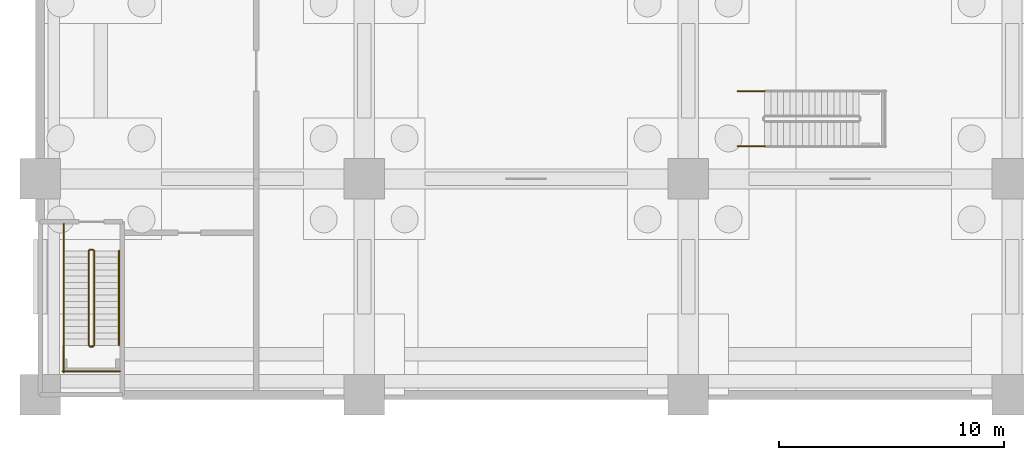
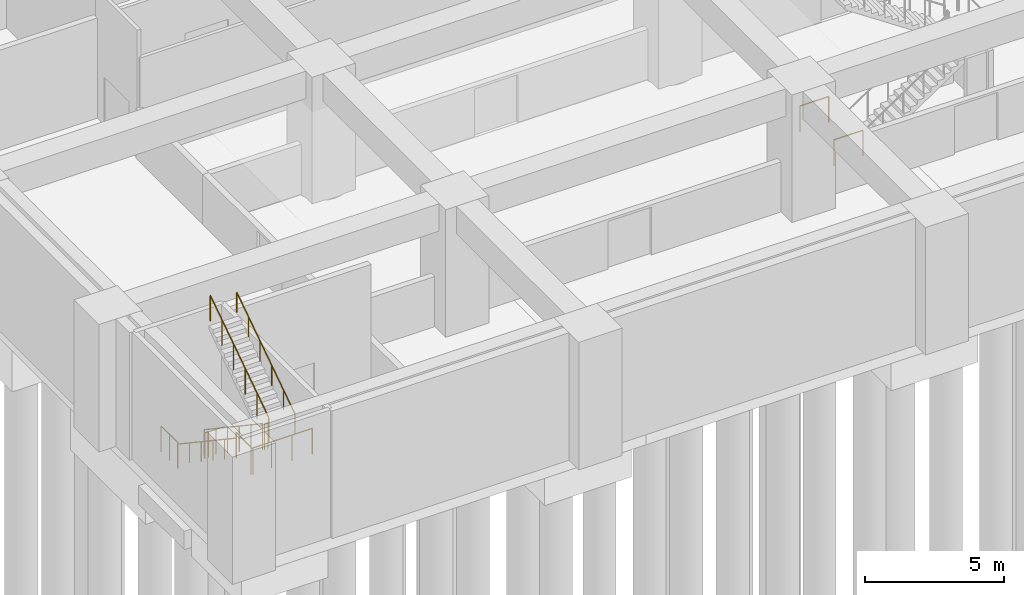
# One storey, part 9 of 13: 11 railings.
"""IFC4 building model written with IfcOpenShell, lengths in metres."""

from ifc_helpers import new_model, si_unit, direction, frame, origin, origin_2d, place, context, subcontext, project, spatial, circle, extrude, material, type_object, element, save


model = new_model("IFC4")

# Units and contexts
model_context = context("Model", 3, precision=1e-05, world=origin(), true_north=direction((0.0, 1.0)))
body_context = subcontext(model_context, "Body", "Model", "MODEL_VIEW")
ifc_project = project(units=[si_unit("LENGTHUNIT", "METRE"), si_unit("AREAUNIT", "SQUARE_METRE"), si_unit("VOLUMEUNIT", "CUBIC_METRE"), si_unit("PLANEANGLEUNIT", "RADIAN"), si_unit("MASSUNIT", "GRAM", prefix="KILO")], contexts=[model_context])

# Site, building, storey
site_placement = place(None, origin())
site = spatial("IfcSite", under=ifc_project, at=site_placement, CompositionType="ELEMENT")
building_placement = place(site_placement, origin())
building = spatial("IfcBuilding", under=site, at=building_placement, Name="Saffron Iwan Residences", CompositionType="ELEMENT")
storey_placement = place(building_placement, frame((0.0, 0.0, -11.39990234375)))
storey = spatial("IfcBuildingStorey", under=building, at=storey_placement, Name="B2", CompositionType="ELEMENT", Elevation=-11.39990234375)

# Railings
ifc_material = material(Name="Steel S355", Category="steel")
railing_type_1 = type_object("IfcRailingType", Name="Podium stair guard 1150", PredefinedType="GUARDRAIL", material=ifc_material)
railing_1_placement = place(storey_placement, frame((2.14990234375, 6.39990234375, 0.1875)))
element("IfcRailing", 1, at=railing_1_placement, inside=storey, type_object=railing_type_1, Name="B2 SE1 stair guard 1", PredefinedType="GUARDRAIL", context=body_context, shape_type="SweptSolid", body=[
    extrude(circle(Radius=0.02392578125, at=origin_2d()), frame((0.0, 0.0, 1.1259765625), z_axis=(0.0, -0.830904186295, 0.556415522067), x_axis=(1.0, 0.0, 0.0)), (0.0, 0.0, 1.0), 5.0546875),
    extrude(circle(Radius=0.02099609375, at=origin_2d()), origin(), (0.0, 0.0, 1.0), 1.101806640625),
    extrude(circle(Radius=0.02099609375, at=origin_2d()), frame((0.0, -0.840087890625, 0.5625)), (0.0, 0.0, 1.0), 1.101806640625),
    extrude(circle(Radius=0.02099609375, at=origin_2d()), frame((0.0, -1.679931640625, 1.125)), (0.0, 0.0, 1.0), 1.101806640625),
    extrude(circle(Radius=0.02099609375, at=origin_2d()), frame((0.0, -2.52001953125, 1.6875)), (0.0, 0.0, 1.0), 1.101806640625),
    extrude(circle(Radius=0.02099609375, at=origin_2d()), frame((0.0, -3.35986328125, 2.25)), (0.0, 0.0, 1.0), 1.101806640625),
    extrude(circle(Radius=0.02099609375, at=origin_2d()), frame((0.0, -4.199951171875, 2.8125)), (0.0, 0.0, 1.0), 1.101806640625),
])
railing_2_placement = place(storey_placement, frame((2.199951171875, 2.14990234375, 3.0)))
element("IfcRailing", 2, at=railing_2_placement, inside=storey, type_object=railing_type_1, Name="B2 SE1 stair guard 2", PredefinedType="GUARDRAIL", context=body_context, shape_type="SweptSolid", body=[
    extrude(circle(Radius=0.02392578125, at=origin_2d()), frame((0.0, 0.0, 1.1259765625), z_axis=(1.0, 0.0, 0.0), x_axis=(0.0, 1.0, 0.0)), (0.0, 0.0, 1.0), 0.150146484375),
    extrude(circle(Radius=0.02099609375, at=origin_2d()), origin(), (0.0, 0.0, 1.0), 1.101806640625),
    extrude(circle(Radius=0.02099609375, at=origin_2d()), frame((0.150146484375, 0.0, 0.0)), (0.0, 0.0, 1.0), 1.101806640625),
])
railing_3_placement = place(storey_placement, frame((1.050048828125, 2.199951171875, 3.0)))
element("IfcRailing", 3, at=railing_3_placement, inside=storey, type_object=railing_type_1, Name="B2 SE1 stair guard 3", PredefinedType="GUARDRAIL", context=body_context, shape_type="SweptSolid", body=[
    extrude(circle(Radius=0.02392578125, at=origin_2d()), frame((0.0, 0.0, 1.1259765625), z_axis=(0.0, -1.0, 0.0), x_axis=(1.0, 0.0, 0.0)), (0.0, 0.0, 1.0), 1.199951171875),
    extrude(circle(Radius=0.02099609375, at=origin_2d()), origin(), (0.0, 0.0, 1.0), 1.101806640625),
    extrude(circle(Radius=0.02099609375, at=origin_2d()), frame((0.0, -1.199951171875, 0.0)), (0.0, 0.0, 1.0), 1.101806640625),
])
railing_4_placement = place(storey_placement, frame((1.0, 1.050048828125, 3.0)))
element("IfcRailing", 4, at=railing_4_placement, inside=storey, type_object=railing_type_1, Name="B2 SE1 stair guard 4", PredefinedType="GUARDRAIL", context=body_context, shape_type="SweptSolid", body=[
    extrude(circle(Radius=0.02392578125, at=origin_2d()), frame((0.0, 0.0, 1.1259765625), z_axis=(1.0, 0.0, 0.0), x_axis=(0.0, 1.0, 0.0)), (0.0, 0.0, 1.0), 2.550048828125),
    extrude(circle(Radius=0.02099609375, at=origin_2d()), origin(), (0.0, 0.0, 1.0), 1.101806640625),
    extrude(circle(Radius=0.02099609375, at=origin_2d()), frame((0.85009765625, 0.0, 0.0)), (0.0, 0.0, 1.0), 1.101806640625),
    extrude(circle(Radius=0.02099609375, at=origin_2d()), frame((1.699951171875, 0.0, 0.0)), (0.0, 0.0, 1.0), 1.101806640625),
    extrude(circle(Radius=0.02099609375, at=origin_2d()), frame((2.550048828125, 0.0, 0.0)), (0.0, 0.0, 1.0), 1.101806640625),
])
railing_5_placement = place(storey_placement, frame((2.39990234375, 2.199951171875, 3.1875)))
element("IfcRailing", 5, at=railing_5_placement, inside=storey, type_object=railing_type_1, Name="B2 SE1 stair guard 5", PredefinedType="GUARDRAIL", context=body_context, shape_type="SweptSolid", body=[
    extrude(circle(Radius=0.02392578125, at=origin_2d()), frame((0.0, 0.0, 1.1259765625), z_axis=(0.0, 0.830904186295, 0.556415522067), x_axis=(-1.0, 0.0, 0.0)), (0.0, 0.0, 1.0), 5.0546875),
    extrude(circle(Radius=0.02099609375, at=origin_2d()), origin(), (0.0, 0.0, 1.0), 1.101806640625),
    extrude(circle(Radius=0.02099609375, at=origin_2d()), frame((0.0, 0.840087890625, 0.5625)), (0.0, 0.0, 1.0), 1.101806640625),
    extrude(circle(Radius=0.02099609375, at=origin_2d()), frame((0.0, 1.679931640625, 1.125)), (0.0, 0.0, 1.0), 1.101806640625),
    extrude(circle(Radius=0.02099609375, at=origin_2d()), frame((0.0, 2.52001953125, 1.6875)), (0.0, 0.0, 1.0), 1.101806640625),
    extrude(circle(Radius=0.02099609375, at=origin_2d()), frame((0.0, 3.35986328125, 2.25)), (0.0, 0.0, 1.0), 1.101806640625),
    extrude(circle(Radius=0.02099609375, at=origin_2d()), frame((0.0, 4.199951171875, 2.8125)), (0.0, 0.0, 1.0), 1.101806640625),
])
railing_6_placement = place(storey_placement, frame((2.199951171875, 6.449951171875, 0.0)))
element("IfcRailing", 6, at=railing_6_placement, inside=storey, type_object=railing_type_1, Name="B2 SE1 stair guard 6", PredefinedType="GUARDRAIL", context=body_context, shape_type="SweptSolid", body=[
    extrude(circle(Radius=0.02392578125, at=origin_2d()), frame((0.0, 0.0, 1.1259765625), z_axis=(1.0, 0.0, 0.0), x_axis=(0.0, 1.0, 0.0)), (0.0, 0.0, 1.0), 0.150146484375),
    extrude(circle(Radius=0.02099609375, at=origin_2d()), origin(), (0.0, 0.0, 1.0), 1.101806640625),
    extrude(circle(Radius=0.02099609375, at=origin_2d()), frame((0.150146484375, 0.0, 0.0)), (0.0, 0.0, 1.0), 1.101806640625),
])
railing_7_placement = place(storey_placement, frame((1.050048828125, 7.60009765625, 0.0)))
element("IfcRailing", 7, at=railing_7_placement, inside=storey, type_object=railing_type_1, Name="B2 SE1 stair guard 7", PredefinedType="GUARDRAIL", context=body_context, shape_type="SweptSolid", body=[
    extrude(circle(Radius=0.02392578125, at=origin_2d()), frame((0.0, 0.0, 1.1259765625), z_axis=(0.0, -1.0, 0.0), x_axis=(1.0, 0.0, 0.0)), (0.0, 0.0, 1.0), 1.2001953125),
    extrude(circle(Radius=0.02099609375, at=origin_2d()), origin(), (0.0, 0.0, 1.0), 1.101806640625),
    extrude(circle(Radius=0.02099609375, at=origin_2d()), frame((0.0, -0.60009765625, 0.0)), (0.0, 0.0, 1.0), 1.101806640625),
    extrude(circle(Radius=0.02099609375, at=origin_2d()), frame((0.0, -1.2001953125, 0.0)), (0.0, 0.0, 1.0), 1.101806640625),
])
for number, where, name in (
    (8, (31.0, 11.050048828125, 0.0), "B2 SP2 stair guard 8"),
    (9, (31.0, 13.5, 0.0), "B2 SP2 stair guard 9"),
):
    element("IfcRailing", number, at=place(storey_placement, frame(where)), inside=storey, type_object=railing_type_1, Name=name, PredefinedType="GUARDRAIL", context=body_context, shape_type="SweptSolid", body=[
        extrude(circle(Radius=0.02392578125, at=origin_2d()), frame((0.0, 0.0, 1.1259765625), z_axis=(1.0, 0.0, 0.0), x_axis=(0.0, 1.0, 0.0)), (0.0, 0.0, 1.0), 1.199951171875),
        extrude(circle(Radius=0.02099609375, at=origin_2d()), origin(), (0.0, 0.0, 1.0), 1.101806640625),
        extrude(circle(Radius=0.02099609375, at=origin_2d()), frame((1.199951171875, 0.0, 0.0)), (0.0, 0.0, 1.0), 1.101806640625),
    ])
railing_type_2 = type_object("IfcRailingType", Name="Podium stair handrail 900", PredefinedType="HANDRAIL", material=ifc_material)
railing_8_placement = place(storey_placement, frame((1.050048828125, 6.39990234375, 0.1875)))
element("IfcRailing", 10, at=railing_8_placement, inside=storey, type_object=railing_type_2, Name="B2 SE1 stair handrail 1", PredefinedType="HANDRAIL", context=body_context, shape_type="SweptSolid", body=[
    extrude(circle(Radius=0.02392578125, at=origin_2d()), frame((0.0, 0.0, 0.8759765625), z_axis=(0.0, -0.830904186295, 0.556415522067), x_axis=(1.0, 0.0, 0.0)), (0.0, 0.0, 1.0), 5.0546875),
    extrude(circle(Radius=0.02099609375, at=origin_2d()), origin(), (0.0, 0.0, 1.0), 0.851806640625),
    extrude(circle(Radius=0.02099609375, at=origin_2d()), frame((0.0, -0.840087890625, 0.5625)), (0.0, 0.0, 1.0), 0.851806640625),
    extrude(circle(Radius=0.02099609375, at=origin_2d()), frame((0.0, -1.679931640625, 1.125)), (0.0, 0.0, 1.0), 0.851806640625),
    extrude(circle(Radius=0.02099609375, at=origin_2d()), frame((0.0, -2.52001953125, 1.6875)), (0.0, 0.0, 1.0), 0.851806640625),
    extrude(circle(Radius=0.02099609375, at=origin_2d()), frame((0.0, -3.35986328125, 2.25)), (0.0, 0.0, 1.0), 0.851806640625),
    extrude(circle(Radius=0.02099609375, at=origin_2d()), frame((0.0, -4.199951171875, 2.8125)), (0.0, 0.0, 1.0), 0.851806640625),
])
railing_9_placement = place(storey_placement, frame((3.5, 2.199951171875, 3.1875)))
element("IfcRailing", 11, at=railing_9_placement, inside=storey, type_object=railing_type_2, Name="B2 SE1 stair handrail 2", PredefinedType="HANDRAIL", context=body_context, shape_type="SweptSolid", body=[
    extrude(circle(Radius=0.02392578125, at=origin_2d()), frame((0.0, 0.0, 0.8759765625), z_axis=(0.0, 0.830904186295, 0.556415522067), x_axis=(-1.0, 0.0, 0.0)), (0.0, 0.0, 1.0), 5.0546875),
    extrude(circle(Radius=0.02099609375, at=origin_2d()), origin(), (0.0, 0.0, 1.0), 0.851806640625),
    extrude(circle(Radius=0.02099609375, at=origin_2d()), frame((0.0, 0.840087890625, 0.5625)), (0.0, 0.0, 1.0), 0.851806640625),
    extrude(circle(Radius=0.02099609375, at=origin_2d()), frame((0.0, 1.679931640625, 1.125)), (0.0, 0.0, 1.0), 0.851806640625),
    extrude(circle(Radius=0.02099609375, at=origin_2d()), frame((0.0, 2.52001953125, 1.6875)), (0.0, 0.0, 1.0), 0.851806640625),
    extrude(circle(Radius=0.02099609375, at=origin_2d()), frame((0.0, 3.35986328125, 2.25)), (0.0, 0.0, 1.0), 0.851806640625),
    extrude(circle(Radius=0.02099609375, at=origin_2d()), frame((0.0, 4.199951171875, 2.8125)), (0.0, 0.0, 1.0), 0.851806640625),
])

save(model, "model.ifc")
